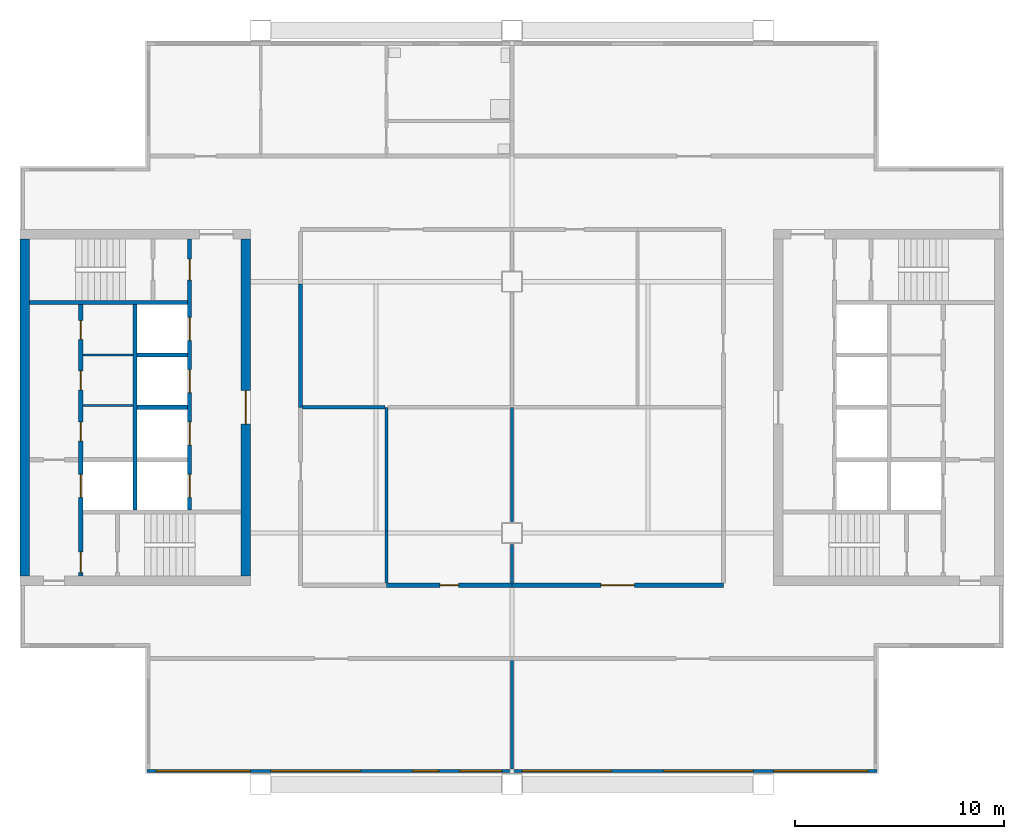
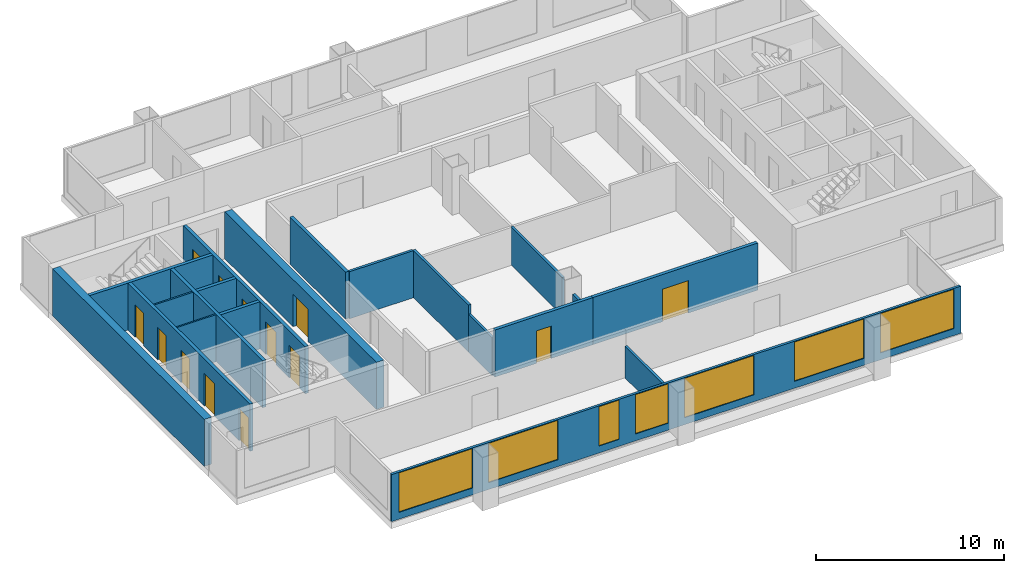
# One storey, part 2 of 7: 20 walls, 13 doors, 7 windows, 20 openings.
"""IFC4 building model written with IfcOpenShell, lengths in metres."""

from ifc_helpers import new_model, si_unit, direction, frame, frame_2d, origin, place, context, subcontext, project, spatial, rectangle, extrude, material, layer, layer_set, type_object, element, fill, save


model = new_model("IFC4")

# Units and contexts
model_context = context("Model", 3, precision=1e-05, world=origin(), true_north=direction((0.0, 1.0)))
body_context = subcontext(model_context, "Body", "Model", "MODEL_VIEW")
ifc_project = project(units=[si_unit("LENGTHUNIT", "METRE"), si_unit("AREAUNIT", "SQUARE_METRE"), si_unit("VOLUMEUNIT", "CUBIC_METRE"), si_unit("PLANEANGLEUNIT", "RADIAN"), si_unit("MASSUNIT", "GRAM", prefix="KILO")], contexts=[model_context])

# Site, building, storey
site_placement = place(None, origin())
site = spatial("IfcSite", under=ifc_project, at=site_placement, CompositionType="ELEMENT")
building_placement = place(site_placement, origin())
building = spatial("IfcBuilding", under=site, at=building_placement, Name="Kitamizu Gate Tower and Museum", CompositionType="ELEMENT")
storey_placement = place(building_placement, frame((0.0, 0.0, 269.699951171875)))
storey = spatial("IfcBuildingStorey", under=building, at=storey_placement, Name="L73", CompositionType="ELEMENT", Elevation=269.699951171875)

# Wall
ifc_material_1 = material(Name="Concrete Fc42", Category="concrete")
ifc_layer_1 = layer(ifc_material_1, 0.449951171875)
ifc_layer_set_1 = layer_set([ifc_layer_1], Name="Concrete Fc42")
wall_type_1 = type_object("IfcWallType", Name="Core wall 450 EI 60", PredefinedType="SHEAR", material=ifc_layer_set_1)
wall_1_placement = place(storey_placement, frame((12.72509765625, 21.949951171875, 0.0), z_axis=(0.0, 0.0, 1.0), x_axis=(0.0, 1.0, 0.0)))
element("IfcWall", 1, at=wall_1_placement, inside=storey, type_object=wall_type_1, Name="Core wall WOUT", PredefinedType="SHEAR", context=body_context, shape_type="SweptSolid", body=[
    extrude(rectangle(XDim=16.10009765625, YDim=0.449951171875, at=frame_2d((8.050048828125, 0.0))), origin(), (0.0, 0.0, 1.0), 3.050048828125),
])

# Wall, opening, door
wall_2_placement = place(storey_placement, frame((23.27490234375, 21.949951171875, 0.0), z_axis=(0.0, 0.0, 1.0), x_axis=(0.0, 1.0, 0.0)))
wall_2 = element("IfcWall", 2, at=wall_2_placement, inside=storey, type_object=wall_type_1, Name="Core wall WARC", PredefinedType="SHEAR", context=body_context, shape_type="SweptSolid", body=[
    extrude(rectangle(XDim=16.10009765625, YDim=0.449951171875, at=frame_2d((8.050048828125, 0.0))), origin(), (0.0, 0.0, 1.0), 3.050048828125),
])
opening_1_placement = place(wall_2_placement, frame((7.25, 0.0, 0.0)))
opening_1 = element("IfcOpeningElement", 3, at=opening_1_placement, cuts=wall_2, Name="Opening L73-021", PredefinedType="OPENING", context=body_context, shape_type="SweptSolid", body=[
    extrude(rectangle(XDim=1.60009765625, YDim=2.10009765625, at=frame_2d((0.800048828125, 1.050048828125))), frame((0.0, 0.23486328125, 0.0), z_axis=(0.0, -1.0, 0.0), x_axis=(1.0, 0.0, 0.0)), (0.0, 0.0, 1.0), 0.469970703125),
])
ifc_material_2 = material(Name="Timber door set", Category="wood")
door_type_1 = type_object("IfcDoorType", Name="Entrance door 1600", OperationType="DOUBLE_DOOR_SINGLE_SWING", PredefinedType="DOOR", material=ifc_material_2)
door_1_placement = place(opening_1_placement, origin())
door_1 = element("IfcDoor", 4, at=door_1_placement, inside=storey, type_object=door_type_1, Name="Lobby door L73-021", OperationType="DOUBLE_DOOR_SINGLE_SWING", OverallHeight=2.10009765625, OverallWidth=1.60009765625, PredefinedType="DOOR", context=body_context, shape_type="SweptSolid", body=[
    extrude(rectangle(XDim=1.60009765625, YDim=2.10009765625, at=frame_2d((0.800048828125, 1.050048828125))), frame((0.0, 0.02490234375, 0.0), z_axis=(0.0, -1.0, 0.0), x_axis=(1.0, 0.0, 0.0)), (0.0, 0.0, 1.0), 0.050048828125),
])
fill(opening_1, door_1)

# Walls
ifc_material_3 = material(Name="Gypsum board on galvanised stud")
ifc_layer_2 = layer(ifc_material_3, 0.10009765625)
ifc_layer_set_2 = layer_set([ifc_layer_2], Name="Gypsum board on galvanised stud")
wall_type_2 = type_object("IfcWallType", Name="Partition 100", PredefinedType="PARTITIONING", material=ifc_layer_set_2)
for number, where, z_axis, x_axis, name in (
    (5, (15.5, 30.08203125, 0.0), (0.0, 0.0, 1.0), (1.0, 0.0, 0.0), "Partition WPF1"),
    (6, (15.5, 32.490966796875, 0.0), (0.0, 0.0, 1.0), (1.0, 0.0, 0.0), "Partition WPF2"),
):
    element("IfcWall", number, at=place(storey_placement, frame(where, z_axis=z_axis, x_axis=x_axis)), inside=storey, type_object=wall_type_2, Name=name, PredefinedType="PARTITIONING", context=body_context, shape_type="SweptSolid", body=[
        extrude(rectangle(XDim=2.39990234375, YDim=0.10009765625, at=frame_2d((1.199951171875, 0.0))), origin(), (0.0, 0.0, 1.0), 3.050048828125),
    ])
ifc_material_4 = material(Name="Gypsum board on galvanised stud")
ifc_layer_3 = layer(ifc_material_4, 0.14990234375)
ifc_layer_set_3 = layer_set([ifc_layer_3], Name="Gypsum board on galvanised stud")
wall_type_3 = type_object("IfcWallType", Name="Partition 150", PredefinedType="PARTITIONING", material=ifc_layer_set_3)
wall_3_placement = place(storey_placement, frame((36.0, 12.719970703125, 0.0), z_axis=(0.0, 0.0, 1.0), x_axis=(0.0, 1.0, 0.0)))
element("IfcWall", 7, at=wall_3_placement, inside=storey, type_object=wall_type_3, Name="Partition L73-011", PredefinedType="PARTITIONING", context=body_context, shape_type="SweptSolid", body=[
    extrude(rectangle(XDim=5.179931640625, YDim=0.14990234375, at=frame_2d((2.58984375, 0.0))), origin(), (0.0, 0.0, 1.0), 2.050048828125),
])
wall_4_placement = place(storey_placement, frame((30.0, 21.60009765625, 0.0), z_axis=(0.0, 0.0, 1.0), x_axis=(0.0, 1.0, 0.0)))
element("IfcWall", 8, at=wall_4_placement, inside=storey, type_object=wall_type_3, Name="Partition L73-028", PredefinedType="PARTITIONING", context=body_context, shape_type="SweptSolid", body=[
    extrude(rectangle(XDim=2.5, YDim=0.14990234375, at=frame_2d((1.25, 0.0))), origin(), (0.0, 0.0, 1.0), 2.449951171875),
])
wall_5_placement = place(storey_placement, frame((30.0, 24.10009765625, 0.0), z_axis=(0.0, 0.0, 1.0), x_axis=(0.0, 1.0, 0.0)))
element("IfcWall", 9, at=wall_5_placement, inside=storey, type_object=wall_type_3, Name="Partition L73-029", PredefinedType="PARTITIONING", context=body_context, shape_type="SweptSolid", body=[
    extrude(rectangle(XDim=5.89990234375, YDim=0.14990234375, at=frame_2d((2.949951171875, 0.0))), origin(), (0.0, 0.0, 1.0), 3.050048828125),
])
wall_6_placement = place(storey_placement, frame((29.925048828125, 30.0, 0.0), z_axis=(0.0, 0.0, 1.0), x_axis=(-1.0, 0.0, 0.0)))
element("IfcWall", 10, at=wall_6_placement, inside=storey, type_object=wall_type_3, Name="Partition L73-030", PredefinedType="PARTITIONING", context=body_context, shape_type="SweptSolid", body=[
    extrude(rectangle(XDim=3.925048828125, YDim=0.14990234375, at=frame_2d((1.96240234375, 0.0))), origin(), (0.0, 0.0, 1.0), 3.050048828125),
])
wall_7_placement = place(storey_placement, frame((36.0, 21.60009765625, 0.0), z_axis=(0.0, 0.0, 1.0), x_axis=(0.0, 1.0, 0.0)))
element("IfcWall", 11, at=wall_7_placement, inside=storey, type_object=wall_type_3, Name="Partition L73-031", PredefinedType="PARTITIONING", context=body_context, shape_type="SweptSolid", body=[
    extrude(rectangle(XDim=1.849853515625, YDim=0.14990234375, at=frame_2d((0.9248046875, 0.0))), origin(), (0.0, 0.0, 1.0), 2.050048828125),
])
wall_8_placement = place(storey_placement, frame((36.0, 24.550048828125, 0.0), z_axis=(0.0, 0.0, 1.0), x_axis=(0.0, 1.0, 0.0)))
element("IfcWall", 12, at=wall_8_placement, inside=storey, type_object=wall_type_3, Name="Partition L73-032", PredefinedType="PARTITIONING", context=body_context, shape_type="SweptSolid", body=[
    extrude(rectangle(XDim=5.449951171875, YDim=0.14990234375, at=frame_2d((2.72509765625, 0.0))), origin(), (0.0, 0.0, 1.0), 2.449951171875),
])

# Wall, opening, door
ifc_material_5 = material(Name="Gypsum board on galvanised stud")
ifc_layer_4 = layer(ifc_material_5, 0.199951171875)
ifc_layer_set_4 = layer_set([ifc_layer_4], Name="Gypsum board on galvanised stud")
wall_type_4 = type_object("IfcWallType", Name="Partition 200", PredefinedType="PARTITIONING", material=ifc_layer_set_4)
wall_9_placement = place(storey_placement, frame((30.0, 21.5, 0.0), z_axis=(0.0, 0.0, 1.0), x_axis=(1.0, 0.0, 0.0)))
wall_9 = element("IfcWall", 13, at=wall_9_placement, inside=storey, type_object=wall_type_4, Name="Partition L73-017", PredefinedType="PARTITIONING", context=body_context, shape_type="SweptSolid", body=[
    extrude(rectangle(XDim=6.0, YDim=0.199951171875, at=frame_2d((3.0, 0.0))), origin(), (0.0, 0.0, 1.0), 3.050048828125),
])
opening_2_placement = place(wall_9_placement, frame((2.550048828125, 0.0, 0.0)))
opening_2 = element("IfcOpeningElement", 14, at=opening_2_placement, cuts=wall_9, Name="Opening L73-009", PredefinedType="OPENING", context=body_context, shape_type="SweptSolid", body=[
    extrude(rectangle(XDim=0.89990234375, YDim=2.10009765625, at=frame_2d((0.449951171875, 1.050048828125))), frame((0.0, 0.10986328125, 0.0), z_axis=(0.0, -1.0, 0.0), x_axis=(1.0, 0.0, 0.0)), (0.0, 0.0, 1.0), 0.219970703125),
])
ifc_material_6 = material(Name="Timber door set", Category="wood")
door_type_2 = type_object("IfcDoorType", Name="Room door 900", OperationType="NOTDEFINED", PredefinedType="DOOR", material=ifc_material_6)
door_2_placement = place(opening_2_placement, origin())
door_2 = element("IfcDoor", 15, at=door_2_placement, inside=storey, type_object=door_type_2, Name="Door L73-009", OperationType="SINGLE_SWING_LEFT", OverallHeight=2.10009765625, OverallWidth=0.89990234375, PredefinedType="DOOR", context=body_context, shape_type="SweptSolid", body=[
    extrude(rectangle(XDim=0.89990234375, YDim=2.10009765625, at=frame_2d((0.449951171875, 1.050048828125))), frame((0.0, 0.02490234375, 0.0), z_axis=(0.0, -1.0, 0.0), x_axis=(1.0, 0.0, 0.0)), (0.0, 0.0, 1.0), 0.050048828125),
])
fill(opening_2, door_2)

wall_10_placement = place(storey_placement, frame((36.0, 21.5, 0.0), z_axis=(0.0, 0.0, 1.0), x_axis=(1.0, 0.0, 0.0)))
wall_10 = element("IfcWall", 16, at=wall_10_placement, inside=storey, type_object=wall_type_4, Name="Partition L73-018", PredefinedType="PARTITIONING", context=body_context, shape_type="SweptSolid", body=[
    extrude(rectangle(XDim=10.10009765625, YDim=0.199951171875, at=frame_2d((5.050048828125, 0.0))), origin(), (0.0, 0.0, 1.0), 3.050048828125),
])
opening_3_placement = place(wall_10_placement, frame((4.25, 0.0, 0.0)))
opening_3 = element("IfcOpeningElement", 17, at=opening_3_placement, cuts=wall_10, Name="Opening L73-010", PredefinedType="OPENING", context=body_context, shape_type="SweptSolid", body=[
    extrude(rectangle(XDim=1.60009765625, YDim=2.10009765625, at=frame_2d((0.800048828125, 1.050048828125))), frame((0.0, 0.10986328125, 0.0), z_axis=(0.0, -1.0, 0.0), x_axis=(1.0, 0.0, 0.0)), (0.0, 0.0, 1.0), 0.219970703125),
])
ifc_material_7 = material(Name="Timber door set", Category="wood")
door_type_3 = type_object("IfcDoorType", Name="Double door 1600", OperationType="DOUBLE_DOOR_SINGLE_SWING", PredefinedType="DOOR", material=ifc_material_7)
door_3_placement = place(opening_3_placement, origin())
door_3 = element("IfcDoor", 18, at=door_3_placement, inside=storey, type_object=door_type_3, Name="Double door L73-010", OperationType="DOUBLE_DOOR_SINGLE_SWING", OverallHeight=2.10009765625, OverallWidth=1.60009765625, PredefinedType="DOOR", context=body_context, shape_type="SweptSolid", body=[
    extrude(rectangle(XDim=1.60009765625, YDim=2.10009765625, at=frame_2d((0.800048828125, 1.050048828125))), frame((0.0, 0.02490234375, 0.0), z_axis=(0.0, -1.0, 0.0), x_axis=(1.0, 0.0, 0.0)), (0.0, 0.0, 1.0), 0.050048828125),
])
fill(opening_3, door_3)

# Wall
wall_11_placement = place(storey_placement, frame((25.89990234375, 35.89990234375, 0.0), z_axis=(0.0, 0.0, 1.0), x_axis=(0.0, -1.0, 0.0)))
element("IfcWall", 19, at=wall_11_placement, inside=storey, type_object=wall_type_4, Name="Partition L73-023", PredefinedType="PARTITIONING", context=body_context, shape_type="SweptSolid", body=[
    extrude(rectangle(XDim=5.89990234375, YDim=0.199951171875, at=frame_2d((2.949951171875, 0.0))), origin(), (0.0, 0.0, 1.0), 3.050048828125),
])

# Wall, openings, doors
ifc_material_8 = material(Name="Concrete Fc42", Category="concrete")
ifc_layer_5 = layer(ifc_material_8, 0.199951171875)
ifc_layer_set_5 = layer_set([ifc_layer_5], Name="Concrete Fc42")
wall_type_5 = type_object("IfcWallType", Name="Shaft wall 200", PredefinedType="SOLIDWALL", material=ifc_layer_set_5)
wall_12_placement = place(storey_placement, frame((15.39990234375, 21.949951171875, 0.0), z_axis=(0.0, 0.0, 1.0), x_axis=(0.0, 1.0, 0.0)))
wall_12 = element("IfcWall", 20, at=wall_12_placement, inside=storey, type_object=wall_type_5, Name="Shaft wall WWEST", PredefinedType="SOLIDWALL", context=body_context, shape_type="SweptSolid", body=[
    extrude(rectangle(XDim=12.949951171875, YDim=0.199951171875, at=frame_2d((6.47509765625, 0.0))), origin(), (0.0, 0.0, 1.0), 3.050048828125),
])
opening_4_placement = place(wall_12_placement, frame((3.75, 0.0, 0.0)))
opening_4 = element("IfcOpeningElement", 21, at=opening_4_placement, cuts=wall_12, Name="Opening LD", PredefinedType="OPENING", context=body_context, shape_type="SweptSolid", body=[
    extrude(rectangle(XDim=1.10009765625, YDim=2.10009765625, at=frame_2d((0.550048828125, 1.050048828125))), frame((0.0, 0.10986328125, 0.0), z_axis=(0.0, -1.0, 0.0), x_axis=(1.0, 0.0, 0.0)), (0.0, 0.0, 1.0), 0.219970703125),
])
opening_5_placement = place(wall_12_placement, frame((0.14990234375, 0.0, 0.0)))
opening_5 = element("IfcOpeningElement", 22, at=opening_5_placement, cuts=wall_12, Name="Opening L73-015", PredefinedType="OPENING", context=body_context, shape_type="SweptSolid", body=[
    extrude(rectangle(XDim=1.0, YDim=2.10009765625, at=frame_2d((0.5, 1.050048828125))), frame((0.0, 0.10986328125, 0.0), z_axis=(0.0, -1.0, 0.0), x_axis=(1.0, 0.0, 0.0)), (0.0, 0.0, 1.0), 0.219970703125),
])
opening_6_placement = place(wall_12_placement, frame((6.44091796875, 0.0, 0.0)))
opening_6 = element("IfcOpeningElement", 23, at=opening_6_placement, cuts=wall_12, Name="Opening L73-022", PredefinedType="OPENING", context=body_context, shape_type="SweptSolid", body=[
    extrude(rectangle(XDim=0.89990234375, YDim=2.10009765625, at=frame_2d((0.449951171875, 1.050048828125))), frame((0.0, 0.10986328125, 0.0), z_axis=(0.0, -1.0, 0.0), x_axis=(1.0, 0.0, 0.0)), (0.0, 0.0, 1.0), 0.219970703125),
])
opening_7_placement = place(wall_12_placement, frame((8.886474609375, 0.0, 0.0)))
opening_7 = element("IfcOpeningElement", 24, at=opening_7_placement, cuts=wall_12, Name="Opening L73-023", PredefinedType="OPENING", context=body_context, shape_type="SweptSolid", body=[
    extrude(rectangle(XDim=0.89990234375, YDim=2.10009765625, at=frame_2d((0.449951171875, 1.050048828125))), frame((0.0, 0.10986328125, 0.0), z_axis=(0.0, -1.0, 0.0), x_axis=(1.0, 0.0, 0.0)), (0.0, 0.0, 1.0), 0.219970703125),
])
opening_8_placement = place(wall_12_placement, frame((11.29541015625, 0.0, 0.0)))
opening_8 = element("IfcOpeningElement", 25, at=opening_8_placement, cuts=wall_12, Name="Opening L73-024", PredefinedType="OPENING", context=body_context, shape_type="SweptSolid", body=[
    extrude(rectangle(XDim=0.89990234375, YDim=2.10009765625, at=frame_2d((0.449951171875, 1.050048828125))), frame((0.0, 0.10986328125, 0.0), z_axis=(0.0, -1.0, 0.0), x_axis=(1.0, 0.0, 0.0)), (0.0, 0.0, 1.0), 0.219970703125),
])
ifc_material_9 = material(Name="Hollow metal door set")
door_type_4 = type_object("IfcDoorType", Name="Fire door 1000", OperationType="NOTDEFINED", PredefinedType="DOOR", material=ifc_material_9)
door_4_placement = place(opening_5_placement, frame((1.0, 0.0, 0.0), x_axis=(-1.0, 0.0, 0.0)))
door_4 = element("IfcDoor", 26, at=door_4_placement, inside=storey, type_object=door_type_4, Name="Stair lobby door L73-015", OperationType="SINGLE_SWING_LEFT", OverallHeight=2.10009765625, OverallWidth=1.0, PredefinedType="DOOR", context=body_context, shape_type="SweptSolid", body=[
    extrude(rectangle(XDim=1.0, YDim=2.10009765625, at=frame_2d((0.5, 1.050048828125))), frame((0.0, 0.02490234375, 0.0), z_axis=(0.0, -1.0, 0.0), x_axis=(1.0, 0.0, 0.0)), (0.0, 0.0, 1.0), 0.050048828125),
])
fill(opening_5, door_4)
ifc_material_10 = material(Name="Hollow metal door set")
door_type_5 = type_object("IfcDoorType", Name="Landing door 1100", OperationType="SLIDING_TO_LEFT", PredefinedType="DOOR", material=ifc_material_10)
door_5_placement = place(opening_4_placement, origin())
door_5 = element("IfcDoor", 27, at=door_5_placement, inside=storey, type_object=door_type_5, Name="Landing door WFF1", OperationType="SLIDING_TO_LEFT", OverallHeight=2.10009765625, OverallWidth=1.10009765625, PredefinedType="DOOR", context=body_context, shape_type="SweptSolid", body=[
    extrude(rectangle(XDim=1.10009765625, YDim=2.10009765625, at=frame_2d((0.550048828125, 1.050048828125))), frame((0.0, 0.02490234375, 0.0), z_axis=(0.0, -1.0, 0.0), x_axis=(1.0, 0.0, 0.0)), (0.0, 0.0, 1.0), 0.050048828125),
])
fill(opening_4, door_5)
ifc_material_11 = material(Name="Timber door set", Category="wood")
door_type_6 = type_object("IfcDoorType", Name="Service door 900", OperationType="NOTDEFINED", PredefinedType="DOOR", material=ifc_material_11)
door_6_placement = place(opening_6_placement, frame((0.89990234375, 0.0, 0.0), x_axis=(-1.0, 0.0, 0.0)))
door_6 = element("IfcDoor", 28, at=door_6_placement, inside=storey, type_object=door_type_6, Name="Service door L73-022", OperationType="SINGLE_SWING_LEFT", OverallHeight=2.10009765625, OverallWidth=0.89990234375, PredefinedType="DOOR", context=body_context, shape_type="SweptSolid", body=[
    extrude(rectangle(XDim=0.89990234375, YDim=2.10009765625, at=frame_2d((0.449951171875, 1.050048828125))), frame((0.0, 0.02490234375, 0.0), z_axis=(0.0, -1.0, 0.0), x_axis=(1.0, 0.0, 0.0)), (0.0, 0.0, 1.0), 0.050048828125),
])
fill(opening_6, door_6)
door_7_placement = place(opening_7_placement, frame((0.89990234375, 0.0, 0.0), x_axis=(-1.0, 0.0, 0.0)))
door_7 = element("IfcDoor", 29, at=door_7_placement, inside=storey, type_object=door_type_6, Name="Service door L73-023", OperationType="SINGLE_SWING_RIGHT", OverallHeight=2.10009765625, OverallWidth=0.89990234375, PredefinedType="DOOR", context=body_context, shape_type="SweptSolid", body=[
    extrude(rectangle(XDim=0.89990234375, YDim=2.10009765625, at=frame_2d((0.449951171875, 1.050048828125))), frame((0.0, 0.02490234375, 0.0), z_axis=(0.0, -1.0, 0.0), x_axis=(1.0, 0.0, 0.0)), (0.0, 0.0, 1.0), 0.050048828125),
])
fill(opening_7, door_7)
door_8_placement = place(opening_8_placement, frame((0.89990234375, 0.0, 0.0), x_axis=(-1.0, 0.0, 0.0)))
door_8 = element("IfcDoor", 30, at=door_8_placement, inside=storey, type_object=door_type_6, Name="Service door L73-024", OperationType="SINGLE_SWING_LEFT", OverallHeight=2.10009765625, OverallWidth=0.89990234375, PredefinedType="DOOR", context=body_context, shape_type="SweptSolid", body=[
    extrude(rectangle(XDim=0.89990234375, YDim=2.10009765625, at=frame_2d((0.449951171875, 1.050048828125))), frame((0.0, 0.02490234375, 0.0), z_axis=(0.0, -1.0, 0.0), x_axis=(1.0, 0.0, 0.0)), (0.0, 0.0, 1.0), 0.050048828125),
])
fill(opening_8, door_8)

wall_13_placement = place(storey_placement, frame((20.60009765625, 25.10009765625, 0.0), z_axis=(0.0, 0.0, 1.0), x_axis=(0.0, 1.0, 0.0)))
wall_13 = element("IfcWall", 31, at=wall_13_placement, inside=storey, type_object=wall_type_5, Name="Shaft wall WEAST", PredefinedType="SOLIDWALL", context=body_context, shape_type="SweptSolid", body=[
    extrude(rectangle(XDim=12.949951171875, YDim=0.199951171875, at=frame_2d((6.47509765625, 0.0))), origin(), (0.0, 0.0, 1.0), 3.050048828125),
])
opening_9_placement = place(wall_13_placement, frame((0.60009765625, 0.0, 0.0)))
opening_9 = element("IfcOpeningElement", 32, at=opening_9_placement, cuts=wall_13, Name="Opening LD", PredefinedType="OPENING", context=body_context, shape_type="SweptSolid", body=[
    extrude(rectangle(XDim=1.10009765625, YDim=2.10009765625, at=frame_2d((0.550048828125, 1.050048828125))), frame((0.0, 0.10986328125, 0.0), z_axis=(0.0, -1.0, 0.0), x_axis=(1.0, 0.0, 0.0)), (0.0, 0.0, 1.0), 0.219970703125),
])
opening_10_placement = place(wall_13_placement, frame((3.10009765625, 0.0, 0.0)))
opening_10 = element("IfcOpeningElement", 33, at=opening_10_placement, cuts=wall_13, Name="Opening LD", PredefinedType="OPENING", context=body_context, shape_type="SweptSolid", body=[
    extrude(rectangle(XDim=1.10009765625, YDim=2.10009765625, at=frame_2d((0.550048828125, 1.050048828125))), frame((0.0, 0.10986328125, 0.0), z_axis=(0.0, -1.0, 0.0), x_axis=(1.0, 0.0, 0.0)), (0.0, 0.0, 1.0), 0.219970703125),
])
opening_11_placement = place(wall_13_placement, frame((5.60009765625, 0.0, 0.0)))
opening_11 = element("IfcOpeningElement", 34, at=opening_11_placement, cuts=wall_13, Name="Opening LD", PredefinedType="OPENING", context=body_context, shape_type="SweptSolid", body=[
    extrude(rectangle(XDim=1.10009765625, YDim=2.10009765625, at=frame_2d((0.550048828125, 1.050048828125))), frame((0.0, 0.10986328125, 0.0), z_axis=(0.0, -1.0, 0.0), x_axis=(1.0, 0.0, 0.0)), (0.0, 0.0, 1.0), 0.219970703125),
])
opening_12_placement = place(wall_13_placement, frame((8.10009765625, 0.0, 0.0)))
opening_12 = element("IfcOpeningElement", 35, at=opening_12_placement, cuts=wall_13, Name="Opening LD", PredefinedType="OPENING", context=body_context, shape_type="SweptSolid", body=[
    extrude(rectangle(XDim=1.10009765625, YDim=2.10009765625, at=frame_2d((0.550048828125, 1.050048828125))), frame((0.0, 0.10986328125, 0.0), z_axis=(0.0, -1.0, 0.0), x_axis=(1.0, 0.0, 0.0)), (0.0, 0.0, 1.0), 0.219970703125),
])
opening_13_placement = place(wall_13_placement, frame((10.97509765625, 0.0, 0.0)))
opening_13 = element("IfcOpeningElement", 36, at=opening_13_placement, cuts=wall_13, Name="Opening L73-016", PredefinedType="OPENING", context=body_context, shape_type="SweptSolid", body=[
    extrude(rectangle(XDim=1.0, YDim=2.10009765625, at=frame_2d((0.5, 1.050048828125))), frame((0.0, 0.10986328125, 0.0), z_axis=(0.0, -1.0, 0.0), x_axis=(1.0, 0.0, 0.0)), (0.0, 0.0, 1.0), 0.219970703125),
])
door_9_placement = place(opening_13_placement, origin())
door_9 = element("IfcDoor", 37, at=door_9_placement, inside=storey, type_object=door_type_4, Name="Stair lobby door L73-016", OperationType="SINGLE_SWING_RIGHT", OverallHeight=2.10009765625, OverallWidth=1.0, PredefinedType="DOOR", context=body_context, shape_type="SweptSolid", body=[
    extrude(rectangle(XDim=1.0, YDim=2.10009765625, at=frame_2d((0.5, 1.050048828125))), frame((0.0, 0.02490234375, 0.0), z_axis=(0.0, -1.0, 0.0), x_axis=(1.0, 0.0, 0.0)), (0.0, 0.0, 1.0), 0.050048828125),
])
fill(opening_13, door_9)
door_10_placement = place(opening_9_placement, origin())
door_10 = element("IfcDoor", 38, at=door_10_placement, inside=storey, type_object=door_type_5, Name="Landing door WSV1", OperationType="SLIDING_TO_LEFT", OverallHeight=2.10009765625, OverallWidth=1.10009765625, PredefinedType="DOOR", context=body_context, shape_type="SweptSolid", body=[
    extrude(rectangle(XDim=1.10009765625, YDim=2.10009765625, at=frame_2d((0.550048828125, 1.050048828125))), frame((0.0, 0.02490234375, 0.0), z_axis=(0.0, -1.0, 0.0), x_axis=(1.0, 0.0, 0.0)), (0.0, 0.0, 1.0), 0.050048828125),
])
fill(opening_9, door_10)
door_11_placement = place(opening_10_placement, origin())
door_11 = element("IfcDoor", 39, at=door_11_placement, inside=storey, type_object=door_type_5, Name="Landing door WH1", OperationType="SLIDING_TO_LEFT", OverallHeight=2.10009765625, OverallWidth=1.10009765625, PredefinedType="DOOR", context=body_context, shape_type="SweptSolid", body=[
    extrude(rectangle(XDim=1.10009765625, YDim=2.10009765625, at=frame_2d((0.550048828125, 1.050048828125))), frame((0.0, 0.02490234375, 0.0), z_axis=(0.0, -1.0, 0.0), x_axis=(1.0, 0.0, 0.0)), (0.0, 0.0, 1.0), 0.050048828125),
])
fill(opening_10, door_11)
door_12_placement = place(opening_11_placement, origin())
door_12 = element("IfcDoor", 40, at=door_12_placement, inside=storey, type_object=door_type_5, Name="Landing door WH2", OperationType="SLIDING_TO_LEFT", OverallHeight=2.10009765625, OverallWidth=1.10009765625, PredefinedType="DOOR", context=body_context, shape_type="SweptSolid", body=[
    extrude(rectangle(XDim=1.10009765625, YDim=2.10009765625, at=frame_2d((0.550048828125, 1.050048828125))), frame((0.0, 0.02490234375, 0.0), z_axis=(0.0, -1.0, 0.0), x_axis=(1.0, 0.0, 0.0)), (0.0, 0.0, 1.0), 0.050048828125),
])
fill(opening_11, door_12)
door_13_placement = place(opening_12_placement, origin())
door_13 = element("IfcDoor", 41, at=door_13_placement, inside=storey, type_object=door_type_5, Name="Landing door WH3", OperationType="SLIDING_TO_LEFT", OverallHeight=2.10009765625, OverallWidth=1.10009765625, PredefinedType="DOOR", context=body_context, shape_type="SweptSolid", body=[
    extrude(rectangle(XDim=1.10009765625, YDim=2.10009765625, at=frame_2d((0.550048828125, 1.050048828125))), frame((0.0, 0.02490234375, 0.0), z_axis=(0.0, -1.0, 0.0), x_axis=(1.0, 0.0, 0.0)), (0.0, 0.0, 1.0), 0.050048828125),
])
fill(opening_12, door_13)

# Walls
wall_14_placement = place(storey_placement, frame((18.0, 25.10009765625, 0.0), z_axis=(0.0, 0.0, 1.0), x_axis=(0.0, 1.0, 0.0)))
element("IfcWall", 42, at=wall_14_placement, inside=storey, type_object=wall_type_5, Name="Shaft wall WMID", PredefinedType="SOLIDWALL", context=body_context, shape_type="SweptSolid", body=[
    extrude(rectangle(XDim=9.7998046875, YDim=0.199951171875, at=frame_2d((4.89990234375, 0.0))), origin(), (0.0, 0.0, 1.0), 3.050048828125),
])
wall_15_placement = place(storey_placement, frame((12.949951171875, 35.0, 0.0), z_axis=(0.0, 0.0, 1.0), x_axis=(1.0, 0.0, 0.0)))
element("IfcWall", 43, at=wall_15_placement, inside=storey, type_object=wall_type_5, Name="Shaft wall WNB", PredefinedType="SOLIDWALL", context=body_context, shape_type="SweptSolid", body=[
    extrude(rectangle(XDim=7.550048828125, YDim=0.199951171875, at=frame_2d((3.77490234375, 0.0))), origin(), (0.0, 0.0, 1.0), 3.050048828125),
])
for number, where, z_axis, x_axis, name in (
    (44, (18.10009765625, 30.0, 0.0), (0.0, 0.0, 1.0), (1.0, 0.0, 0.0), "Shaft wall WDVE1"),
    (45, (18.10009765625, 32.5, 0.0), (0.0, 0.0, 1.0), (1.0, 0.0, 0.0), "Shaft wall WDVE2"),
):
    element("IfcWall", number, at=place(storey_placement, frame(where, z_axis=z_axis, x_axis=x_axis)), inside=storey, type_object=wall_type_5, Name=name, PredefinedType="SOLIDWALL", context=body_context, shape_type="SweptSolid", body=[
        extrude(rectangle(XDim=2.39990234375, YDim=0.199951171875, at=frame_2d((1.199951171875, 0.0))), origin(), (0.0, 0.0, 1.0), 3.050048828125),
    ])

# Wall, openings, windows
ifc_material_12 = material(Name="Bronze anodised aluminium frame with insulated spandrel and tinted glass", Category="aluminium")
ifc_layer_6 = layer(ifc_material_12, 0.14990234375)
ifc_layer_set_6 = layer_set([ifc_layer_6], Name="Bronze anodised aluminium frame with insulated spandrel and tinted glass")
wall_type_6 = type_object("IfcWallType", Name="WINDOW WALL 150 BRONZE FRAME EI 30", PredefinedType="ELEMENTEDWALL", material=ifc_layer_set_6)
wall_16_placement = place(storey_placement, frame((18.56005859375, 12.635009765625, 0.0), z_axis=(0.0, 0.0, 1.0), x_axis=(1.0, 0.0, 0.0)))
wall_16 = element("IfcWall", 46, at=wall_16_placement, inside=storey, type_object=wall_type_6, Name="Window wall south L73", PredefinedType="ELEMENTEDWALL", context=body_context, shape_type="SweptSolid", body=[
    extrude(rectangle(XDim=34.8798828125, YDim=0.14990234375, at=frame_2d((17.43994140625, 0.0))), origin(), (0.0, 0.0, 1.0), 3.050048828125),
])
opening_14_placement = place(wall_16_placement, frame((0.43994140625, 0.0, 0.449951171875)))
opening_14 = element("IfcOpeningElement", 47, at=opening_14_placement, cuts=wall_16, Name="Opening W15", PredefinedType="OPENING", context=body_context, shape_type="SweptSolid", body=[
    extrude(rectangle(XDim=4.5, YDim=2.550048828125, at=frame_2d((2.25, 1.27490234375))), frame((0.0, 0.0849609375, 0.0), z_axis=(0.0, -1.0, 0.0), x_axis=(1.0, 0.0, 0.0)), (0.0, 0.0, 1.0), 0.169921875),
])
opening_15_placement = place(wall_16_placement, frame((5.93994140625, 0.0, 0.449951171875)))
opening_15 = element("IfcOpeningElement", 48, at=opening_15_placement, cuts=wall_16, Name="Opening W37", PredefinedType="OPENING", context=body_context, shape_type="SweptSolid", body=[
    extrude(rectangle(XDim=4.25, YDim=2.550048828125, at=frame_2d((2.125, 1.27490234375))), frame((0.0, 0.0849609375, 0.0), z_axis=(0.0, -1.0, 0.0), x_axis=(1.0, 0.0, 0.0)), (0.0, 0.0, 1.0), 0.169921875),
])
opening_16_placement = place(wall_16_placement, frame((12.68994140625, 0.0, 0.449951171875)))
opening_16 = element("IfcOpeningElement", 49, at=opening_16_placement, cuts=wall_16, Name="Opening W27", PredefinedType="OPENING", context=body_context, shape_type="SweptSolid", body=[
    extrude(rectangle(XDim=1.25, YDim=2.550048828125, at=frame_2d((0.625, 1.27490234375))), frame((0.0, 0.0849609375, 0.0), z_axis=(0.0, -1.0, 0.0), x_axis=(1.0, 0.0, 0.0)), (0.0, 0.0, 1.0), 0.169921875),
])
opening_17_placement = place(wall_16_placement, frame((14.93994140625, 0.0, 0.449951171875)))
opening_17 = element("IfcOpeningElement", 50, at=opening_17_placement, cuts=wall_16, Name="Opening W2", PredefinedType="OPENING", context=body_context, shape_type="SweptSolid", body=[
    extrude(rectangle(XDim=2.0, YDim=2.550048828125, at=frame_2d((1.0, 1.27490234375))), frame((0.0, 0.0849609375, 0.0), z_axis=(0.0, -1.0, 0.0), x_axis=(1.0, 0.0, 0.0)), (0.0, 0.0, 1.0), 0.169921875),
])
opening_18_placement = place(wall_16_placement, frame((17.93994140625, 0.0, 0.449951171875)))
opening_18 = element("IfcOpeningElement", 51, at=opening_18_placement, cuts=wall_16, Name="Opening W37", PredefinedType="OPENING", context=body_context, shape_type="SweptSolid", body=[
    extrude(rectangle(XDim=4.25, YDim=2.550048828125, at=frame_2d((2.125, 1.27490234375))), frame((0.0, 0.0849609375, 0.0), z_axis=(0.0, -1.0, 0.0), x_axis=(1.0, 0.0, 0.0)), (0.0, 0.0, 1.0), 0.169921875),
])
opening_19_placement = place(wall_16_placement, frame((24.68994140625, 0.0, 0.449951171875)))
opening_19 = element("IfcOpeningElement", 52, at=opening_19_placement, cuts=wall_16, Name="Opening W37", PredefinedType="OPENING", context=body_context, shape_type="SweptSolid", body=[
    extrude(rectangle(XDim=4.25, YDim=2.550048828125, at=frame_2d((2.125, 1.27490234375))), frame((0.0, 0.0849609375, 0.0), z_axis=(0.0, -1.0, 0.0), x_axis=(1.0, 0.0, 0.0)), (0.0, 0.0, 1.0), 0.169921875),
])
opening_20_placement = place(wall_16_placement, frame((29.93994140625, 0.0, 0.449951171875)))
opening_20 = element("IfcOpeningElement", 53, at=opening_20_placement, cuts=wall_16, Name="Opening W15", PredefinedType="OPENING", context=body_context, shape_type="SweptSolid", body=[
    extrude(rectangle(XDim=4.5, YDim=2.550048828125, at=frame_2d((2.25, 1.27490234375))), frame((0.0, 0.0849609375, 0.0), z_axis=(0.0, -1.0, 0.0), x_axis=(1.0, 0.0, 0.0)), (0.0, 0.0, 1.0), 0.169921875),
])
ifc_material_13 = material(Name="Bronze anodised aluminium frame, tinted triple glazing", Category="aluminium")
window_type_1 = type_object("IfcWindowType", Name="WINDOW 1250 x 2550 SILL 450", PartitioningType="SINGLE_PANEL", PredefinedType="WINDOW", material=ifc_material_13)
window_1_placement = place(opening_16_placement, origin())
window_1 = element("IfcWindow", 54, at=window_1_placement, inside=storey, type_object=window_type_1, Name="Window W27 L73", OverallHeight=2.550048828125, OverallWidth=1.25, PartitioningType="SINGLE_PANEL", PredefinedType="WINDOW", context=body_context, shape_type="SweptSolid", body=[
    extrude(rectangle(XDim=1.25, YDim=2.550048828125, at=frame_2d((0.625, 1.27490234375))), frame((0.0, 0.030029296875, 0.0), z_axis=(0.0, -1.0, 0.0), x_axis=(1.0, 0.0, 0.0)), (0.0, 0.0, 1.0), 0.06005859375),
])
fill(opening_16, window_1)
ifc_material_14 = material(Name="Bronze anodised aluminium frame, tinted triple glazing", Category="aluminium")
window_type_2 = type_object("IfcWindowType", Name="WINDOW 2000 x 2550 SILL 450", PartitioningType="SINGLE_PANEL", PredefinedType="WINDOW", material=ifc_material_14)
window_2_placement = place(opening_17_placement, origin())
window_2 = element("IfcWindow", 55, at=window_2_placement, inside=storey, type_object=window_type_2, Name="Window W2 L73", OverallHeight=2.550048828125, OverallWidth=2.0, PartitioningType="SINGLE_PANEL", PredefinedType="WINDOW", context=body_context, shape_type="SweptSolid", body=[
    extrude(rectangle(XDim=2.0, YDim=2.550048828125, at=frame_2d((1.0, 1.27490234375))), frame((0.0, 0.030029296875, 0.0), z_axis=(0.0, -1.0, 0.0), x_axis=(1.0, 0.0, 0.0)), (0.0, 0.0, 1.0), 0.06005859375),
])
fill(opening_17, window_2)
ifc_material_15 = material(Name="Bronze anodised aluminium frame, tinted triple glazing", Category="aluminium")
window_type_3 = type_object("IfcWindowType", Name="WINDOW 4250 x 2550 SILL 450", PartitioningType="SINGLE_PANEL", PredefinedType="WINDOW", material=ifc_material_15)
window_3_placement = place(opening_15_placement, origin())
window_3 = element("IfcWindow", 56, at=window_3_placement, inside=storey, type_object=window_type_3, Name="Window W37 L73", OverallHeight=2.550048828125, OverallWidth=4.25, PartitioningType="SINGLE_PANEL", PredefinedType="WINDOW", context=body_context, shape_type="SweptSolid", body=[
    extrude(rectangle(XDim=4.25, YDim=2.550048828125, at=frame_2d((2.125, 1.27490234375))), frame((0.0, 0.030029296875, 0.0), z_axis=(0.0, -1.0, 0.0), x_axis=(1.0, 0.0, 0.0)), (0.0, 0.0, 1.0), 0.06005859375),
])
fill(opening_15, window_3)
window_4_placement = place(opening_18_placement, origin())
window_4 = element("IfcWindow", 57, at=window_4_placement, inside=storey, type_object=window_type_3, Name="Window W37 L73", OverallHeight=2.550048828125, OverallWidth=4.25, PartitioningType="SINGLE_PANEL", PredefinedType="WINDOW", context=body_context, shape_type="SweptSolid", body=[
    extrude(rectangle(XDim=4.25, YDim=2.550048828125, at=frame_2d((2.125, 1.27490234375))), frame((0.0, 0.030029296875, 0.0), z_axis=(0.0, -1.0, 0.0), x_axis=(1.0, 0.0, 0.0)), (0.0, 0.0, 1.0), 0.06005859375),
])
fill(opening_18, window_4)
window_5_placement = place(opening_19_placement, origin())
window_5 = element("IfcWindow", 58, at=window_5_placement, inside=storey, type_object=window_type_3, Name="Window W37 L73", OverallHeight=2.550048828125, OverallWidth=4.25, PartitioningType="SINGLE_PANEL", PredefinedType="WINDOW", context=body_context, shape_type="SweptSolid", body=[
    extrude(rectangle(XDim=4.25, YDim=2.550048828125, at=frame_2d((2.125, 1.27490234375))), frame((0.0, 0.030029296875, 0.0), z_axis=(0.0, -1.0, 0.0), x_axis=(1.0, 0.0, 0.0)), (0.0, 0.0, 1.0), 0.06005859375),
])
fill(opening_19, window_5)
ifc_material_16 = material(Name="Bronze anodised aluminium frame, tinted triple glazing", Category="aluminium")
window_type_4 = type_object("IfcWindowType", Name="WINDOW 4500 x 2550 SILL 450", PartitioningType="SINGLE_PANEL", PredefinedType="WINDOW", material=ifc_material_16)
window_6_placement = place(opening_14_placement, origin())
window_6 = element("IfcWindow", 59, at=window_6_placement, inside=storey, type_object=window_type_4, Name="Window W15 L73", OverallHeight=2.550048828125, OverallWidth=4.5, PartitioningType="SINGLE_PANEL", PredefinedType="WINDOW", context=body_context, shape_type="SweptSolid", body=[
    extrude(rectangle(XDim=4.5, YDim=2.550048828125, at=frame_2d((2.25, 1.27490234375))), frame((0.0, 0.030029296875, 0.0), z_axis=(0.0, -1.0, 0.0), x_axis=(1.0, 0.0, 0.0)), (0.0, 0.0, 1.0), 0.06005859375),
])
fill(opening_14, window_6)
window_7_placement = place(opening_20_placement, origin())
window_7 = element("IfcWindow", 60, at=window_7_placement, inside=storey, type_object=window_type_4, Name="Window W15 L73", OverallHeight=2.550048828125, OverallWidth=4.5, PartitioningType="SINGLE_PANEL", PredefinedType="WINDOW", context=body_context, shape_type="SweptSolid", body=[
    extrude(rectangle(XDim=4.5, YDim=2.550048828125, at=frame_2d((2.25, 1.27490234375))), frame((0.0, 0.030029296875, 0.0), z_axis=(0.0, -1.0, 0.0), x_axis=(1.0, 0.0, 0.0)), (0.0, 0.0, 1.0), 0.06005859375),
])
fill(opening_20, window_7)

save(model, "model.ifc")
